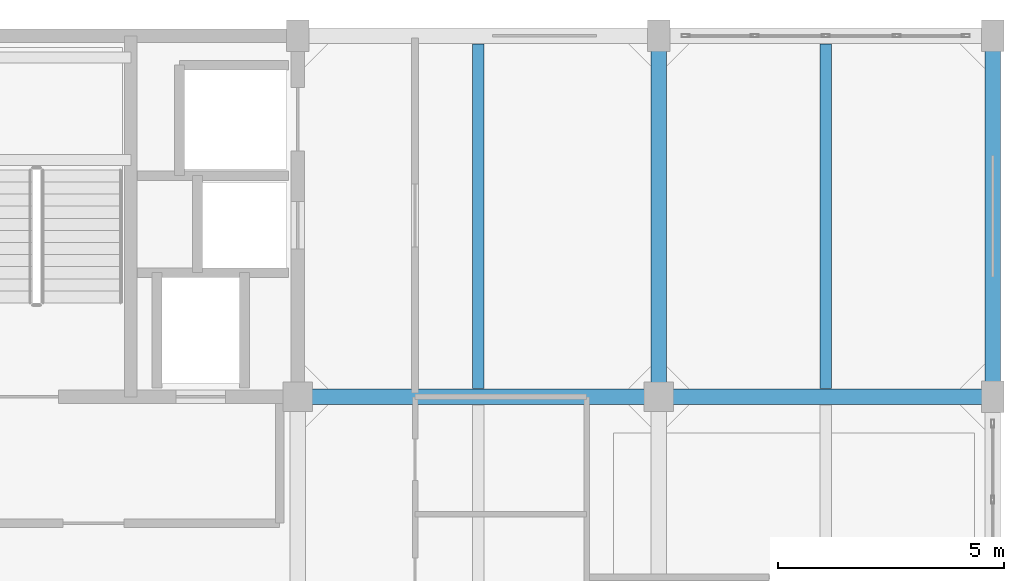
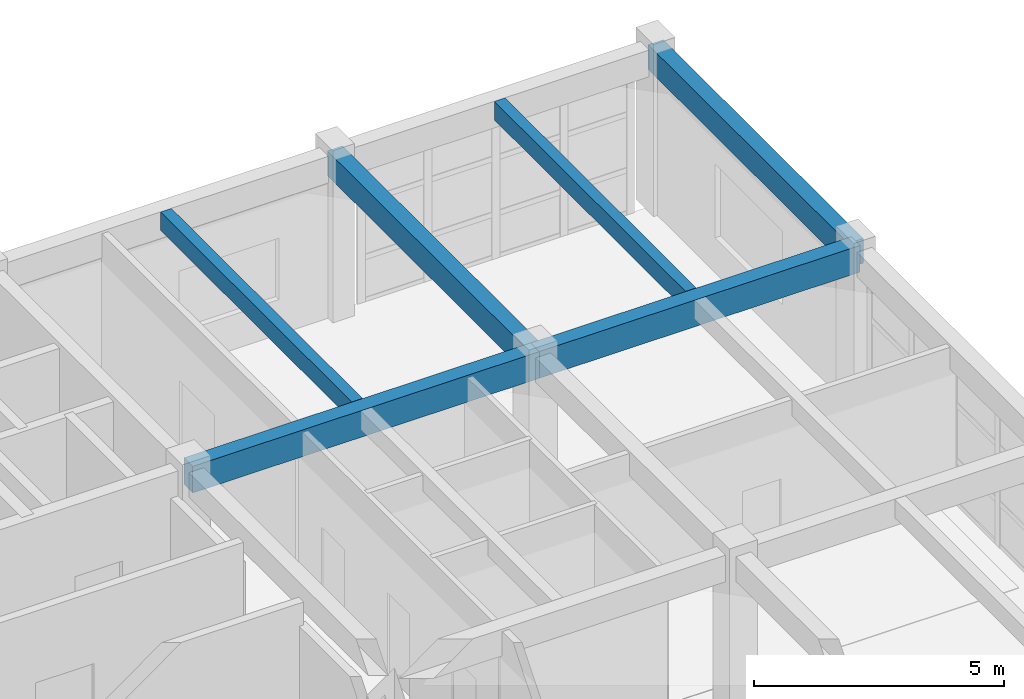
# One storey, part 10 of 18: 6 beams.
"""IFC4 building model written with IfcOpenShell, lengths in metres."""

from ifc_helpers import new_model, si_unit, direction, frame, origin, origin_2d, place, context, subcontext, project, spatial, rectangle, extrude, material, material_profile, profile_set, type_object, element, save


model = new_model("IFC4")

# Units and contexts
model_context = context("Model", 3, precision=1e-05, world=origin(), true_north=direction((0.0, 1.0)))
body_context = subcontext(model_context, "Body", "Model", "MODEL_VIEW")
ifc_project = project(units=[si_unit("LENGTHUNIT", "METRE"), si_unit("AREAUNIT", "SQUARE_METRE"), si_unit("VOLUMEUNIT", "CUBIC_METRE"), si_unit("PLANEANGLEUNIT", "RADIAN"), si_unit("MASSUNIT", "GRAM", prefix="KILO")], contexts=[model_context])

# Site, building, storey
site_placement = place(None, origin())
site = spatial("IfcSite", under=ifc_project, at=site_placement, CompositionType="ELEMENT")
building_placement = place(site_placement, origin())
building = spatial("IfcBuilding", under=site, at=building_placement, Name="Canggui Botanical Conservatory", CompositionType="ELEMENT")
storey_placement = place(building_placement, frame((0.0, 0.0, 52.800048828125)))
storey = spatial("IfcBuildingStorey", under=building, at=storey_placement, Name="L13", CompositionType="ELEMENT", Elevation=52.800048828125)

# Beams
ifc_material = material(Name="Concrete C35", Category="concrete")
ifc_material_profile_1 = material_profile(ifc_material, rectangle(XDim=0.25, YDim=0.449951171875, at=origin_2d()), Name="RB 250x450")
ifc_profile_set_1 = profile_set([ifc_material_profile_1], Name="Concrete C35")
beam_type_1 = type_object("IfcBeamType", Name="BM-JST05", PredefinedType="JOIST", material=ifc_profile_set_1)
for number, where, z_axis, x_axis, name in (
    (1, (166.0, 58.179931640625, 3.73486328125), (0.0, 1.0, 0.0), (-1.0, 0.0, 0.0), "Secondary Floor Joist L13-3-3"),
    (2, (173.699951171875, 58.179931640625, 3.73486328125), (0.0, 1.0, 0.0), (-1.0, 0.0, 0.0), "Secondary Floor Joist L13-4-3"),
):
    element("IfcBeam", number, at=place(storey_placement, frame(where, z_axis=z_axis, x_axis=x_axis)), inside=storey, type_object=beam_type_1, Name=name, PredefinedType="JOIST", context=body_context, shape_type="SweptSolid", body=[
        extrude(rectangle(XDim=0.25, YDim=0.449951171875, at=origin_2d()), origin(), (0.0, 0.0, 1.0), 7.64013671875),
    ])
ifc_material_profile_2 = material_profile(ifc_material, rectangle(XDim=0.35009765625, YDim=0.64990234375, at=origin_2d()), Name="RB 350x650")
ifc_profile_set_2 = profile_set([ifc_material_profile_2], Name="Concrete C35")
beam_type_2 = type_object("IfcBeamType", Name="BM-KL18", PredefinedType="BEAM", material=ifc_profile_set_2)
beam_1_placement = place(storey_placement, frame((162.0, 58.0, 3.635009765625), z_axis=(1.0, 0.0, 0.0), x_axis=(0.0, 1.0, 0.0)))
element("IfcBeam", 3, at=beam_1_placement, inside=storey, type_object=beam_type_2, Name="Frame Girder L13 Y58-3", PredefinedType="BEAM", context=body_context, shape_type="SweptSolid", body=[
    extrude(rectangle(XDim=0.35009765625, YDim=0.64990234375, at=origin_2d()), origin(), (0.0, 0.0, 1.0), 8.0),
])
beam_2_placement = place(storey_placement, frame((170.0, 58.0, 3.635009765625), z_axis=(1.0, 0.0, 0.0), x_axis=(0.0, 1.0, 0.0)))
element("IfcBeam", 4, at=beam_2_placement, inside=storey, type_object=beam_type_2, Name="Frame Girder L13 Y58-4", PredefinedType="BEAM", context=body_context, shape_type="SweptSolid", body=[
    extrude(rectangle(XDim=0.35009765625, YDim=0.64990234375, at=origin_2d()), origin(), (0.0, 0.0, 1.0), 7.39990234375),
])
ifc_material_profile_3 = material_profile(ifc_material, rectangle(XDim=0.35009765625, YDim=0.60009765625, at=origin_2d()), Name="RB 350x600")
ifc_profile_set_3 = profile_set([ifc_material_profile_3], Name="Concrete C35")
beam_type_3 = type_object("IfcBeamType", Name="BM-KL19", PredefinedType="BEAM", material=ifc_profile_set_3)
for number, where, z_axis, x_axis, name in (
    (5, (170.0, 58.0, 3.659912109375), (0.0, 1.0, 0.0), (-1.0, 0.0, 0.0), "Frame Girder L13 X170-3"),
    (6, (177.39990234375, 58.0, 3.659912109375), (0.0, 1.0, 0.0), (-1.0, 0.0, 0.0), "Frame Girder L13 X178-3"),
):
    element("IfcBeam", number, at=place(storey_placement, frame(where, z_axis=z_axis, x_axis=x_axis)), inside=storey, type_object=beam_type_3, Name=name, PredefinedType="BEAM", context=body_context, shape_type="SweptSolid", body=[
        extrude(rectangle(XDim=0.35009765625, YDim=0.60009765625, at=origin_2d()), origin(), (0.0, 0.0, 1.0), 8.0),
    ])

save(model, "model.ifc")
